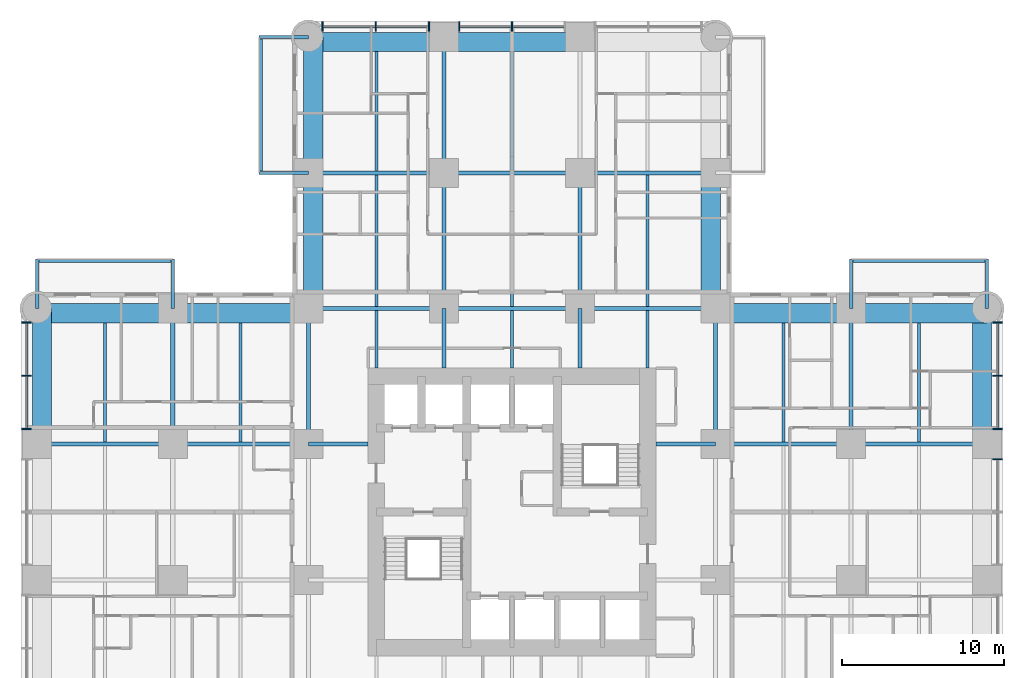
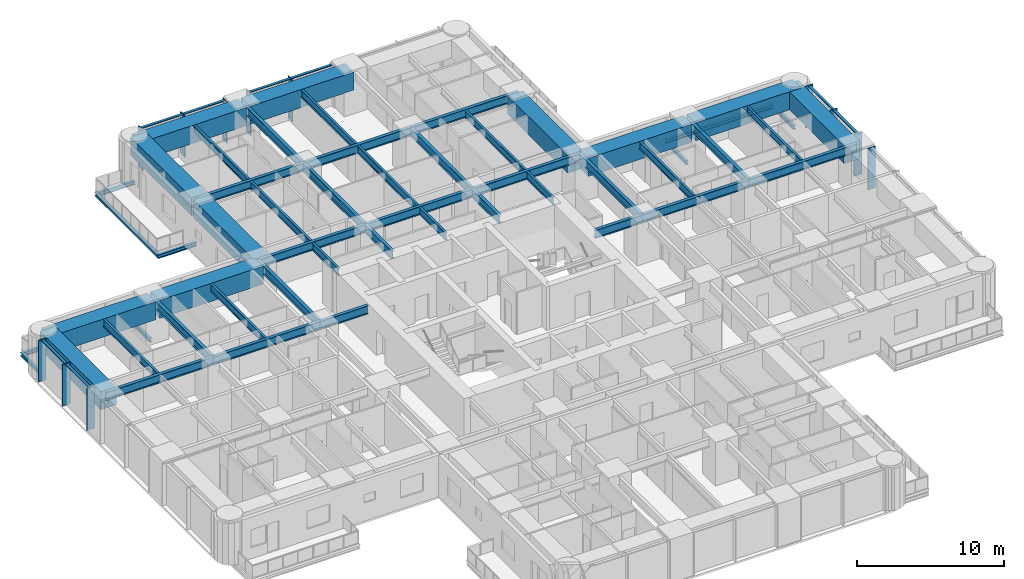
# One storey, part 4 of 17: 53 beams, 20 members, 3 elements without a shape of their own.
"""IFC4 building model written with IfcOpenShell, lengths in metres."""

from ifc_helpers import new_model, si_unit, direction, frame, origin, origin_2d, place, context, subcontext, project, spatial, rectangle, i_section, extrude, material, material_profile, profile_set, type_object, element, aggregate, save


model = new_model("IFC4")

# Units and contexts
model_context = context("Model", 3, precision=1e-05, world=origin(), true_north=direction((0.0, 1.0)))
body_context = subcontext(model_context, "Body", "Model", "MODEL_VIEW")
ifc_project = project(units=[si_unit("LENGTHUNIT", "METRE"), si_unit("AREAUNIT", "SQUARE_METRE"), si_unit("VOLUMEUNIT", "CUBIC_METRE"), si_unit("PLANEANGLEUNIT", "RADIAN"), si_unit("MASSUNIT", "GRAM", prefix="KILO")], contexts=[model_context])

# Site, building, storey
site_placement = place(None, origin())
site = spatial("IfcSite", under=ifc_project, at=site_placement, CompositionType="ELEMENT")
building_placement = place(site_placement, origin())
building = spatial("IfcBuilding", under=site, at=building_placement, Name="Torre Alcanfor", CompositionType="ELEMENT")
storey_placement = place(building_placement, frame((0.0, 0.0, 48.89990234375)))
storey = spatial("IfcBuildingStorey", under=building, at=storey_placement, Name="L11", CompositionType="ELEMENT", Elevation=48.89990234375)

# Beams
ifc_material_1 = material(Name="Steel ASTM A992 Grade 50", Category="steel")
ifc_material_profile_1 = material_profile(ifc_material_1, i_section(OverallWidth=0.205322265625, OverallDepth=0.309814453125, WebThickness=0.00927734375, FlangeThickness=0.016357421875, at=origin_2d()), Name="W12x50")
ifc_profile_set_1 = profile_set([ifc_material_profile_1], Name="Steel ASTM A992 Grade 50")
beam_type_1 = type_object("IfcBeamType", Name="Balcony cantilever beam W12x50", PredefinedType="BEAM", material=ifc_profile_set_1)
for number, where, z_axis, x_axis, name in (
    (1, (16.800048828125, 50.39990234375, -0.354736328125), (-1.0, 0.0, 0.0), (0.0, -1.0, 0.0), "Balcony cantilever beam L11-N1 1"),
    (2, (16.800048828125, 58.800048828125, -0.354736328125), (-1.0, 0.0, 0.0), (0.0, -1.0, 0.0), "Balcony cantilever beam L11-N1 2"),
    (3, (50.39990234375, 42.0, -0.354736328125), (0.0, 1.0, 0.0), (-1.0, 0.0, 0.0), "Balcony cantilever beam L11-E1 1"),
    (4, (58.800048828125, 42.0, -0.354736328125), (0.0, 1.0, 0.0), (-1.0, 0.0, 0.0), "Balcony cantilever beam L11-E1 2"),
    (5, (8.39990234375, 42.0, -0.354736328125), (0.0, 1.0, 0.0), (-1.0, 0.0, 0.0), "Balcony cantilever beam L11-W2 1"),
    (6, (0.0, 42.0, -0.354736328125), (0.0, 1.0, 0.0), (-1.0, 0.0, 0.0), "Balcony cantilever beam L11-W2 2"),
):
    element("IfcBeam", number, at=place(storey_placement, frame(where, z_axis=z_axis, x_axis=x_axis)), inside=storey, type_object=beam_type_1, Name=name, PredefinedType="BEAM", context=body_context, shape_type="SweptSolid", body=[
        extrude(i_section(OverallWidth=0.205322265625, OverallDepth=0.309814453125, WebThickness=0.00927734375, FlangeThickness=0.016357421875, at=origin_2d()), origin(), (0.0, 0.0, 1.0), 3.050048828125),
    ])
ifc_material_2 = material(Name="Steel ASTM A992 Grade 50", Category="steel")
ifc_material_profile_2 = material_profile(ifc_material_2, i_section(OverallWidth=0.203369140625, OverallDepth=0.30224609375, WebThickness=0.007568359375, FlangeThickness=0.01318359375, at=origin_2d()), Name="W12x40")
ifc_profile_set_2 = profile_set([ifc_material_profile_2], Name="Steel ASTM A992 Grade 50")
beam_type_2 = type_object("IfcBeamType", Name="Balcony edge trimmer W12x40", PredefinedType="BEAM", material=ifc_profile_set_2)
for number, where, z_axis, x_axis, name in (
    (7, (13.851806640625, 50.39990234375, -0.35107421875), (0.0, 1.0, 0.0), (-1.0, 0.0, 0.0), "Balcony edge trimmer L11-N1"),
    (8, (50.39990234375, 44.9482421875, -0.35107421875), (1.0, 0.0, 0.0), (0.0, 1.0, 0.0), "Balcony edge trimmer L11-E1"),
):
    element("IfcBeam", number, at=place(storey_placement, frame(where, z_axis=z_axis, x_axis=x_axis)), inside=storey, type_object=beam_type_2, Name=name, PredefinedType="BEAM", context=body_context, shape_type="SweptSolid", body=[
        extrude(i_section(OverallWidth=0.203369140625, OverallDepth=0.30224609375, WebThickness=0.007568359375, FlangeThickness=0.01318359375, at=origin_2d()), origin(), (0.0, 0.0, 1.0), 8.400146484375),
    ])
beam_1_placement = place(storey_placement, frame((8.39990234375, 44.9482421875, -0.35107421875), z_axis=(-1.0, 0.0, 0.0), x_axis=(0.0, -1.0, 0.0)))
element("IfcBeam", 9, at=beam_1_placement, inside=storey, type_object=beam_type_2, Name="Balcony edge trimmer L11-W2", PredefinedType="BEAM", context=body_context, shape_type="SweptSolid", body=[
    extrude(i_section(OverallWidth=0.203369140625, OverallDepth=0.30224609375, WebThickness=0.007568359375, FlangeThickness=0.01318359375, at=origin_2d()), origin(), (0.0, 0.0, 1.0), 8.39990234375),
])

# Curtain wall, members
ifc_material_3 = material(Name="Aluminium and glass", Category="aluminium")
curtain_wall_type = type_object("IfcCurtainWallType", Name="CW-A unitised apartment glazing with vertical FIN", PredefinedType="NOTDEFINED", material=ifc_material_3)
curtain_wall_1_placement = place(storey_placement, origin())
curtain_wall_1 = element("IfcCurtainWall", 10, at=curtain_wall_1_placement, inside=storey, type_object=curtain_wall_type, Name="Curtain wall CW-A L11 2", PredefinedType="NOTDEFINED")
ifc_material_4 = material(Name="Bronze anodised aluminium", Category="aluminium")
ifc_material_profile_3 = material_profile(ifc_material_4, rectangle(XDim=0.60009765625, YDim=0.06494140625, at=origin_2d()), Name="CW-A mullion 65x600")
ifc_profile_set_3 = profile_set([ifc_material_profile_3], Name="Bronze anodised aluminium")
member_type_1 = type_object("IfcMemberType", Name="CW-A mullion with vertical FIN 65x600", PredefinedType="MULLION", material=ifc_profile_set_3)
member_1_placement = place(storey_placement, frame((-0.64990234375, 41.133056640625, 0.0), z_axis=(0.0, 0.0, 1.0), x_axis=(1.0, 0.0, 0.0)))
member_1 = element("IfcMember", 11, at=member_1_placement, type_object=member_type_1, Name="CW-A mullion 1.1", PredefinedType="MULLION", context=body_context, shape_type="SweptSolid", body=[
    extrude(rectangle(XDim=0.60009765625, YDim=0.06494140625, at=origin_2d()), origin(), (0.0, 0.0, 1.0), 3.4501953125),
])
member_2_placement = place(storey_placement, frame((-0.64990234375, 37.835205078125, 0.0), z_axis=(0.0, 0.0, 1.0), x_axis=(1.0, 0.0, 0.0)))
member_2 = element("IfcMember", 12, at=member_2_placement, type_object=member_type_1, Name="CW-A mullion 1.2", PredefinedType="MULLION", context=body_context, shape_type="SweptSolid", body=[
    extrude(rectangle(XDim=0.60009765625, YDim=0.06494140625, at=origin_2d()), origin(), (0.0, 0.0, 1.0), 3.4501953125),
])
member_3_placement = place(storey_placement, frame((-0.64990234375, 34.53759765625, 0.0), z_axis=(0.0, 0.0, 1.0), x_axis=(1.0, 0.0, 0.0)))
member_3 = element("IfcMember", 13, at=member_3_placement, type_object=member_type_1, Name="CW-A mullion 1.3", PredefinedType="MULLION", context=body_context, shape_type="SweptSolid", body=[
    extrude(rectangle(XDim=0.60009765625, YDim=0.06494140625, at=origin_2d()), origin(), (0.0, 0.0, 1.0), 3.4501953125),
])

curtain_wall_2_placement = place(storey_placement, origin())
curtain_wall_2 = element("IfcCurtainWall", 14, at=curtain_wall_2_placement, inside=storey, type_object=curtain_wall_type, Name="Curtain wall CW-A L11 8", PredefinedType="NOTDEFINED")
member_4_placement = place(storey_placement, frame((59.449951171875, 32.66259765625, 0.0), z_axis=(0.0, 0.0, 1.0), x_axis=(-1.0, 0.0, 0.0)))
member_4 = element("IfcMember", 15, at=member_4_placement, type_object=member_type_1, Name="CW-A mullion 2.3", PredefinedType="MULLION", context=body_context, shape_type="SweptSolid", body=[
    extrude(rectangle(XDim=0.60009765625, YDim=0.06494140625, at=origin_2d()), origin(), (0.0, 0.0, 1.0), 3.4501953125),
])
member_5_placement = place(storey_placement, frame((59.449951171875, 34.53759765625, 0.0), z_axis=(0.0, 0.0, 1.0), x_axis=(-1.0, 0.0, 0.0)))
member_5 = element("IfcMember", 16, at=member_5_placement, type_object=member_type_1, Name="CW-A mullion 3.1", PredefinedType="MULLION", context=body_context, shape_type="SweptSolid", body=[
    extrude(rectangle(XDim=0.60009765625, YDim=0.06494140625, at=origin_2d()), origin(), (0.0, 0.0, 1.0), 3.4501953125),
])
member_6_placement = place(storey_placement, frame((59.449951171875, 37.835205078125, 0.0), z_axis=(0.0, 0.0, 1.0), x_axis=(-1.0, 0.0, 0.0)))
member_6 = element("IfcMember", 17, at=member_6_placement, type_object=member_type_1, Name="CW-A mullion 3.2", PredefinedType="MULLION", context=body_context, shape_type="SweptSolid", body=[
    extrude(rectangle(XDim=0.60009765625, YDim=0.06494140625, at=origin_2d()), origin(), (0.0, 0.0, 1.0), 3.4501953125),
])
member_7_placement = place(storey_placement, frame((59.449951171875, 41.133056640625, 0.0), z_axis=(0.0, 0.0, 1.0), x_axis=(-1.0, 0.0, 0.0)))
member_7 = element("IfcMember", 18, at=member_7_placement, type_object=member_type_1, Name="CW-A mullion 3.3", PredefinedType="MULLION", context=body_context, shape_type="SweptSolid", body=[
    extrude(rectangle(XDim=0.60009765625, YDim=0.06494140625, at=origin_2d()), origin(), (0.0, 0.0, 1.0), 3.4501953125),
])

curtain_wall_3_placement = place(storey_placement, origin())
curtain_wall_3 = element("IfcCurtainWall", 19, at=curtain_wall_3_placement, inside=storey, type_object=curtain_wall_type, Name="Curtain wall CW-A L11 11", PredefinedType="NOTDEFINED")
member_8_placement = place(storey_placement, frame((29.39990234375, 59.449951171875, 0.0), z_axis=(0.0, 0.0, 1.0), x_axis=(0.0, -1.0, 0.0)))
member_8 = element("IfcMember", 20, at=member_8_placement, type_object=member_type_1, Name="CW-A mullion 2.2", PredefinedType="MULLION", context=body_context, shape_type="SweptSolid", body=[
    extrude(rectangle(XDim=0.60009765625, YDim=0.06494140625, at=origin_2d()), origin(), (0.0, 0.0, 1.0), 3.4501953125),
])
member_9_placement = place(storey_placement, frame((26.137451171875, 59.449951171875, 0.0), z_axis=(0.0, 0.0, 1.0), x_axis=(0.0, -1.0, 0.0)))
member_9 = element("IfcMember", 21, at=member_9_placement, type_object=member_type_1, Name="CW-A mullion 2.3", PredefinedType="MULLION", context=body_context, shape_type="SweptSolid", body=[
    extrude(rectangle(XDim=0.60009765625, YDim=0.06494140625, at=origin_2d()), origin(), (0.0, 0.0, 1.0), 3.4501953125),
])
member_10_placement = place(storey_placement, frame((24.262451171875, 59.449951171875, 0.0), z_axis=(0.0, 0.0, 1.0), x_axis=(0.0, -1.0, 0.0)))
member_10 = element("IfcMember", 22, at=member_10_placement, type_object=member_type_1, Name="CW-A mullion 3.1", PredefinedType="MULLION", context=body_context, shape_type="SweptSolid", body=[
    extrude(rectangle(XDim=0.60009765625, YDim=0.06494140625, at=origin_2d()), origin(), (0.0, 0.0, 1.0), 3.4501953125),
])
member_11_placement = place(storey_placement, frame((20.96484375, 59.449951171875, 0.0), z_axis=(0.0, 0.0, 1.0), x_axis=(0.0, -1.0, 0.0)))
member_11 = element("IfcMember", 23, at=member_11_placement, type_object=member_type_1, Name="CW-A mullion 3.2", PredefinedType="MULLION", context=body_context, shape_type="SweptSolid", body=[
    extrude(rectangle(XDim=0.60009765625, YDim=0.06494140625, at=origin_2d()), origin(), (0.0, 0.0, 1.0), 3.4501953125),
])
member_12_placement = place(storey_placement, frame((17.6669921875, 59.449951171875, 0.0), z_axis=(0.0, 0.0, 1.0), x_axis=(0.0, -1.0, 0.0)))
member_12 = element("IfcMember", 24, at=member_12_placement, type_object=member_type_1, Name="CW-A mullion 3.3", PredefinedType="MULLION", context=body_context, shape_type="SweptSolid", body=[
    extrude(rectangle(XDim=0.60009765625, YDim=0.06494140625, at=origin_2d()), origin(), (0.0, 0.0, 1.0), 3.4501953125),
])

# Member
ifc_material_5 = material(Name="Extruded aluminium", Category="aluminium")
ifc_material_profile_4 = material_profile(ifc_material_5, rectangle(XDim=0.199951171875, YDim=0.06494140625, at=origin_2d()), Name="CW-A transom 200x65")
ifc_profile_set_4 = profile_set([ifc_material_profile_4], Name="Extruded aluminium")
member_type_2 = type_object("IfcMemberType", Name="CW-A transom 65x200", PredefinedType="USERDEFINED", material=ifc_profile_set_4)
member_13_placement = place(storey_placement, frame((-0.64990234375, 41.1005859375, 3.41748046875), z_axis=(0.0, -1.0, 0.0), x_axis=(1.0, 0.0, 0.0)))
member_13 = element("IfcMember", 25, at=member_13_placement, type_object=member_type_2, Name="CW-A transom 1.1.2", ObjectType="TRANSOM", PredefinedType="USERDEFINED", context=body_context, shape_type="SweptSolid", body=[
    extrude(rectangle(XDim=0.199951171875, YDim=0.06494140625, at=origin_2d()), origin(), (0.0, 0.0, 1.0), 3.23291015625),
])

member_14_placement = place(storey_placement, frame((-0.64990234375, 37.802734375, 3.41748046875), z_axis=(0.0, -1.0, 0.0), x_axis=(1.0, 0.0, 0.0)))
member_14 = element("IfcMember", 26, at=member_14_placement, type_object=member_type_2, Name="CW-A transom 1.2.2", ObjectType="TRANSOM", PredefinedType="USERDEFINED", context=body_context, shape_type="SweptSolid", body=[
    extrude(rectangle(XDim=0.199951171875, YDim=0.06494140625, at=origin_2d()), origin(), (0.0, 0.0, 1.0), 3.232666015625),
])

aggregate(curtain_wall_1, [member_1, member_2, member_3, member_13, member_14])

member_15_placement = place(storey_placement, frame((59.449951171875, 34.570068359375, 3.41748046875), z_axis=(0.0, 1.0, 0.0), x_axis=(-1.0, 0.0, 0.0)))
member_15 = element("IfcMember", 27, at=member_15_placement, type_object=member_type_2, Name="CW-A transom 3.1.2", ObjectType="TRANSOM", PredefinedType="USERDEFINED", context=body_context, shape_type="SweptSolid", body=[
    extrude(rectangle(XDim=0.199951171875, YDim=0.06494140625, at=origin_2d()), origin(), (0.0, 0.0, 1.0), 3.232666015625),
])

member_16_placement = place(storey_placement, frame((59.449951171875, 37.86767578125, 3.41748046875), z_axis=(0.0, 1.0, 0.0), x_axis=(-1.0, 0.0, 0.0)))
member_16 = element("IfcMember", 28, at=member_16_placement, type_object=member_type_2, Name="CW-A transom 3.2.2", ObjectType="TRANSOM", PredefinedType="USERDEFINED", context=body_context, shape_type="SweptSolid", body=[
    extrude(rectangle(XDim=0.199951171875, YDim=0.06494140625, at=origin_2d()), origin(), (0.0, 0.0, 1.0), 3.23291015625),
])

aggregate(curtain_wall_2, [member_4, member_5, member_6, member_7, member_15, member_16])

member_17_placement = place(storey_placement, frame((32.6298828125, 59.449951171875, 3.41748046875), z_axis=(-1.0, 0.0, 0.0), x_axis=(0.0, -1.0, 0.0)))
member_17 = element("IfcMember", 29, at=member_17_placement, type_object=member_type_2, Name="CW-A transom 2.1.2", ObjectType="TRANSOM", PredefinedType="USERDEFINED", context=body_context, shape_type="SweptSolid", body=[
    extrude(rectangle(XDim=0.199951171875, YDim=0.06494140625, at=origin_2d()), origin(), (0.0, 0.0, 1.0), 3.197265625),
])

member_18_placement = place(storey_placement, frame((29.367431640625, 59.449951171875, 3.41748046875), z_axis=(-1.0, 0.0, 0.0), x_axis=(0.0, -1.0, 0.0)))
member_18 = element("IfcMember", 30, at=member_18_placement, type_object=member_type_2, Name="CW-A transom 2.2.2", ObjectType="TRANSOM", PredefinedType="USERDEFINED", context=body_context, shape_type="SweptSolid", body=[
    extrude(rectangle(XDim=0.199951171875, YDim=0.06494140625, at=origin_2d()), origin(), (0.0, 0.0, 1.0), 3.197509765625),
])

member_19_placement = place(storey_placement, frame((24.22998046875, 59.449951171875, 3.41748046875), z_axis=(-1.0, 0.0, 0.0), x_axis=(0.0, -1.0, 0.0)))
member_19 = element("IfcMember", 31, at=member_19_placement, type_object=member_type_2, Name="CW-A transom 3.1.2", ObjectType="TRANSOM", PredefinedType="USERDEFINED", context=body_context, shape_type="SweptSolid", body=[
    extrude(rectangle(XDim=0.199951171875, YDim=0.06494140625, at=origin_2d()), origin(), (0.0, 0.0, 1.0), 3.232666015625),
])

member_20_placement = place(storey_placement, frame((20.93212890625, 59.449951171875, 3.41748046875), z_axis=(-1.0, 0.0, 0.0), x_axis=(0.0, -1.0, 0.0)))
member_20 = element("IfcMember", 32, at=member_20_placement, type_object=member_type_2, Name="CW-A transom 3.2.2", ObjectType="TRANSOM", PredefinedType="USERDEFINED", context=body_context, shape_type="SweptSolid", body=[
    extrude(rectangle(XDim=0.199951171875, YDim=0.06494140625, at=origin_2d()), origin(), (0.0, 0.0, 1.0), 3.232666015625),
])

aggregate(curtain_wall_3, [member_8, member_9, member_17, member_18, member_10, member_11, member_12, member_19, member_20])

# Beams
ifc_material_6 = material(Name="Steel ASTM A992 Grade 50", Category="steel")
ifc_material_profile_5 = material_profile(ifc_material_6, i_section(OverallWidth=0.25390625, OverallDepth=0.683349609375, WebThickness=0.012451171875, FlangeThickness=0.01904296875, at=origin_2d()), Name="W27x94")
ifc_profile_set_5 = profile_set([ifc_material_profile_5], Name="Steel ASTM A992 Grade 50")
beam_type_3 = type_object("IfcBeamType", Name="Girder W27x94", PredefinedType="BEAM", material=ifc_profile_set_5)
beam_2_placement = place(storey_placement, frame((0.0, 33.60009765625, 3.1083984375), z_axis=(1.0, 0.0, 0.0), x_axis=(0.0, 1.0, 0.0)))
element("IfcBeam", 33, at=beam_2_placement, inside=storey, type_object=beam_type_3, Name="Beam 1G-2G under L12", PredefinedType="BEAM", context=body_context, shape_type="SweptSolid", body=[
    extrude(i_section(OverallWidth=0.25390625, OverallDepth=0.683349609375, WebThickness=0.012451171875, FlangeThickness=0.01904296875, at=origin_2d()), origin(), (0.0, 0.0, 1.0), 8.39990234375),
])
beam_3_placement = place(storey_placement, frame((8.39990234375, 33.60009765625, 3.1083984375), z_axis=(1.0, 0.0, 0.0), x_axis=(0.0, 1.0, 0.0)))
element("IfcBeam", 34, at=beam_3_placement, inside=storey, type_object=beam_type_3, Name="Beam 2G-3G under L12", PredefinedType="BEAM", context=body_context, shape_type="SweptSolid", body=[
    extrude(i_section(OverallWidth=0.25390625, OverallDepth=0.683349609375, WebThickness=0.012451171875, FlangeThickness=0.01904296875, at=origin_2d()), origin(), (0.0, 0.0, 1.0), 8.400146484375),
])
beam_4_placement = place(storey_placement, frame((42.0, 33.60009765625, 3.1083984375), z_axis=(1.0, 0.0, 0.0), x_axis=(0.0, 1.0, 0.0)))
element("IfcBeam", 35, at=beam_4_placement, inside=storey, type_object=beam_type_3, Name="Beam 6G-7G under L12", PredefinedType="BEAM", context=body_context, shape_type="SweptSolid", body=[
    extrude(i_section(OverallWidth=0.25390625, OverallDepth=0.683349609375, WebThickness=0.012451171875, FlangeThickness=0.01904296875, at=origin_2d()), origin(), (0.0, 0.0, 1.0), 8.39990234375),
])
beam_5_placement = place(storey_placement, frame((50.39990234375, 33.60009765625, 3.1083984375), z_axis=(1.0, 0.0, 0.0), x_axis=(0.0, 1.0, 0.0)))
element("IfcBeam", 36, at=beam_5_placement, inside=storey, type_object=beam_type_3, Name="Beam 7G-8G under L12", PredefinedType="BEAM", context=body_context, shape_type="SweptSolid", body=[
    extrude(i_section(OverallWidth=0.25390625, OverallDepth=0.683349609375, WebThickness=0.012451171875, FlangeThickness=0.01904296875, at=origin_2d()), origin(), (0.0, 0.0, 1.0), 8.400146484375),
])
beam_6_placement = place(storey_placement, frame((16.800048828125, 42.0, 3.1083984375), z_axis=(1.0, 0.0, 0.0), x_axis=(0.0, 1.0, 0.0)))
element("IfcBeam", 37, at=beam_6_placement, inside=storey, type_object=beam_type_3, Name="Beam 3H-4H under L12", PredefinedType="BEAM", context=body_context, shape_type="SweptSolid", body=[
    extrude(i_section(OverallWidth=0.25390625, OverallDepth=0.683349609375, WebThickness=0.012451171875, FlangeThickness=0.01904296875, at=origin_2d()), origin(), (0.0, 0.0, 1.0), 8.39990234375),
])
beam_7_placement = place(storey_placement, frame((25.199951171875, 42.0, 3.1083984375), z_axis=(1.0, 0.0, 0.0), x_axis=(0.0, 1.0, 0.0)))
element("IfcBeam", 38, at=beam_7_placement, inside=storey, type_object=beam_type_3, Name="Beam 4H-5H under L12", PredefinedType="BEAM", context=body_context, shape_type="SweptSolid", body=[
    extrude(i_section(OverallWidth=0.25390625, OverallDepth=0.683349609375, WebThickness=0.012451171875, FlangeThickness=0.01904296875, at=origin_2d()), origin(), (0.0, 0.0, 1.0), 8.400146484375),
])
for number, where, z_axis, x_axis, name in (
    (39, (33.60009765625, 42.0, 3.1083984375), (1.0, 0.0, 0.0), (0.0, 1.0, 0.0), "Beam 5H-6H under L12"),
    (40, (16.800048828125, 50.39990234375, 3.1083984375), (1.0, 0.0, 0.0), (0.0, 1.0, 0.0), "Beam 3J-4J under L12"),
):
    element("IfcBeam", number, at=place(storey_placement, frame(where, z_axis=z_axis, x_axis=x_axis)), inside=storey, type_object=beam_type_3, Name=name, PredefinedType="BEAM", context=body_context, shape_type="SweptSolid", body=[
        extrude(i_section(OverallWidth=0.25390625, OverallDepth=0.683349609375, WebThickness=0.012451171875, FlangeThickness=0.01904296875, at=origin_2d()), origin(), (0.0, 0.0, 1.0), 8.39990234375),
    ])
beam_8_placement = place(storey_placement, frame((25.199951171875, 50.39990234375, 3.1083984375), z_axis=(1.0, 0.0, 0.0), x_axis=(0.0, 1.0, 0.0)))
element("IfcBeam", 41, at=beam_8_placement, inside=storey, type_object=beam_type_3, Name="Beam 4J-5J under L12", PredefinedType="BEAM", context=body_context, shape_type="SweptSolid", body=[
    extrude(i_section(OverallWidth=0.25390625, OverallDepth=0.683349609375, WebThickness=0.012451171875, FlangeThickness=0.01904296875, at=origin_2d()), origin(), (0.0, 0.0, 1.0), 8.400146484375),
])
for number, where, z_axis, x_axis, name in (
    (42, (33.60009765625, 50.39990234375, 3.1083984375), (1.0, 0.0, 0.0), (0.0, 1.0, 0.0), "Beam 5J-6J under L12"),
    (43, (8.39990234375, 33.60009765625, 3.1083984375), (0.0, 1.0, 0.0), (-1.0, 0.0, 0.0), "Beam 2G-2H under L12"),
    (44, (16.800048828125, 33.60009765625, 3.1083984375), (0.0, 1.0, 0.0), (-1.0, 0.0, 0.0), "Beam 3G-3H under L12"),
    (45, (25.199951171875, 42.0, 3.1083984375), (0.0, 1.0, 0.0), (-1.0, 0.0, 0.0), "Beam 4H-4J under L12"),
):
    element("IfcBeam", number, at=place(storey_placement, frame(where, z_axis=z_axis, x_axis=x_axis)), inside=storey, type_object=beam_type_3, Name=name, PredefinedType="BEAM", context=body_context, shape_type="SweptSolid", body=[
        extrude(i_section(OverallWidth=0.25390625, OverallDepth=0.683349609375, WebThickness=0.012451171875, FlangeThickness=0.01904296875, at=origin_2d()), origin(), (0.0, 0.0, 1.0), 8.39990234375),
    ])
beam_9_placement = place(storey_placement, frame((25.199951171875, 50.39990234375, 3.1083984375), z_axis=(0.0, 1.0, 0.0), x_axis=(-1.0, 0.0, 0.0)))
element("IfcBeam", 46, at=beam_9_placement, inside=storey, type_object=beam_type_3, Name="Beam 4J-4K under L12", PredefinedType="BEAM", context=body_context, shape_type="SweptSolid", body=[
    extrude(i_section(OverallWidth=0.25390625, OverallDepth=0.683349609375, WebThickness=0.012451171875, FlangeThickness=0.01904296875, at=origin_2d()), origin(), (0.0, 0.0, 1.0), 8.400146484375),
])
for number, where, z_axis, x_axis, name in (
    (47, (33.60009765625, 42.0, 3.1083984375), (0.0, 1.0, 0.0), (-1.0, 0.0, 0.0), "Beam 5H-5J under L12"),
    (48, (42.0, 33.60009765625, 3.1083984375), (0.0, 1.0, 0.0), (-1.0, 0.0, 0.0), "Beam 6G-6H under L12"),
    (49, (50.39990234375, 33.60009765625, 3.1083984375), (0.0, 1.0, 0.0), (-1.0, 0.0, 0.0), "Beam 7G-7H under L12"),
):
    element("IfcBeam", number, at=place(storey_placement, frame(where, z_axis=z_axis, x_axis=x_axis)), inside=storey, type_object=beam_type_3, Name=name, PredefinedType="BEAM", context=body_context, shape_type="SweptSolid", body=[
        extrude(i_section(OverallWidth=0.25390625, OverallDepth=0.683349609375, WebThickness=0.012451171875, FlangeThickness=0.01904296875, at=origin_2d()), origin(), (0.0, 0.0, 1.0), 8.39990234375),
    ])
ifc_material_7 = material(Name="Steel ASTM A992 Grade 50", Category="steel")
ifc_material_profile_6 = material_profile(ifc_material_7, i_section(OverallWidth=0.25390625, OverallDepth=0.683349609375, WebThickness=0.012451171875, FlangeThickness=0.01904296875, at=origin_2d()), Name="W27x94")
ifc_profile_set_6 = profile_set([ifc_material_profile_6], Name="Steel ASTM A992 Grade 50")
beam_type_4 = type_object("IfcBeamType", Name="Girder, part bay W27x94", PredefinedType="BEAM", material=ifc_profile_set_6)
for number, where, z_axis, x_axis, name in (
    (50, (25.199951171875, 42.0, 3.1083984375), (0.0, -1.0, 0.0), (1.0, 0.0, 0.0), "Beam 4H-438_3 under L12"),
    (51, (33.60009765625, 42.0, 3.1083984375), (0.0, -1.0, 0.0), (1.0, 0.0, 0.0), "Beam 5H-538_3 under L12"),
    (52, (16.800048828125, 33.60009765625, 3.1083984375), (1.0, 0.0, 0.0), (0.0, 1.0, 0.0), "Beam 3G-20_5G under L12"),
    (53, (42.0, 33.60009765625, 3.1083984375), (-1.0, 0.0, 0.0), (0.0, -1.0, 0.0), "Beam 6G-38_3G under L12"),
):
    element("IfcBeam", number, at=place(storey_placement, frame(where, z_axis=z_axis, x_axis=x_axis)), inside=storey, type_object=beam_type_4, Name=name, PredefinedType="BEAM", context=body_context, shape_type="SweptSolid", body=[
        extrude(i_section(OverallWidth=0.25390625, OverallDepth=0.683349609375, WebThickness=0.012451171875, FlangeThickness=0.01904296875, at=origin_2d()), origin(), (0.0, 0.0, 1.0), 3.699951171875),
    ])
ifc_material_8 = material(Name="Concrete f'c 70 MPa", Category="concrete")
ifc_material_profile_7 = material_profile(ifc_material_8, rectangle(XDim=1.199951171875, YDim=1.5, at=origin_2d()), Name="1200x1500")
ifc_profile_set_7 = profile_set([ifc_material_profile_7], Name="Concrete f'c 70 MPa")
beam_type_5 = type_object("IfcBeamType", Name="RC perimeter beam 1200x1500", PredefinedType="BEAM", material=ifc_profile_set_7)
beam_10_placement = place(storey_placement, frame((0.0, 41.699951171875, 2.7001953125), z_axis=(1.0, 0.0, 0.0), x_axis=(0.0, 1.0, 0.0)))
element("IfcBeam", 54, at=beam_10_placement, inside=storey, type_object=beam_type_5, Name="Beam 1H-2H under L12", PredefinedType="BEAM", context=body_context, shape_type="SweptSolid", body=[
    extrude(rectangle(XDim=1.199951171875, YDim=1.5, at=origin_2d()), origin(), (0.0, 0.0, 1.0), 8.27294921875),
])
for number, where, z_axis, x_axis, name in (
    (55, (8.527099609375, 41.699951171875, 2.7001953125), (1.0, 0.0, 0.0), (0.0, 1.0, 0.0), "Beam 2H-3H under L12"),
    (56, (42.126953125, 41.699951171875, 2.7001953125), (1.0, 0.0, 0.0), (0.0, 1.0, 0.0), "Beam 6H-7H under L12"),
):
    element("IfcBeam", number, at=place(storey_placement, frame(where, z_axis=z_axis, x_axis=x_axis)), inside=storey, type_object=beam_type_5, Name=name, PredefinedType="BEAM", context=body_context, shape_type="SweptSolid", body=[
        extrude(rectangle(XDim=1.199951171875, YDim=1.5, at=origin_2d()), origin(), (0.0, 0.0, 1.0), 8.14599609375),
    ])
for number, where, z_axis, x_axis, name in (
    (57, (50.527099609375, 41.699951171875, 2.7001953125), (1.0, 0.0, 0.0), (0.0, 1.0, 0.0), "Beam 7H-8H under L12"),
    (58, (16.800048828125, 58.5, 2.7001953125), (1.0, 0.0, 0.0), (0.0, 1.0, 0.0), "Beam 3K-4K under L12"),
):
    element("IfcBeam", number, at=place(storey_placement, frame(where, z_axis=z_axis, x_axis=x_axis)), inside=storey, type_object=beam_type_5, Name=name, PredefinedType="BEAM", context=body_context, shape_type="SweptSolid", body=[
        extrude(rectangle(XDim=1.199951171875, YDim=1.5, at=origin_2d()), origin(), (0.0, 0.0, 1.0), 8.27294921875),
    ])
beam_11_placement = place(storey_placement, frame((25.326904296875, 58.5, 2.7001953125), z_axis=(1.0, 0.0, 0.0), x_axis=(0.0, 1.0, 0.0)))
element("IfcBeam", 59, at=beam_11_placement, inside=storey, type_object=beam_type_5, Name="Beam 4K-5K under L12", PredefinedType="BEAM", context=body_context, shape_type="SweptSolid", body=[
    extrude(rectangle(XDim=1.199951171875, YDim=1.5, at=origin_2d()), origin(), (0.0, 0.0, 1.0), 8.14599609375),
])
beam_12_placement = place(storey_placement, frame((0.300048828125, 33.72705078125, 2.7001953125), z_axis=(0.0, 1.0, 0.0), x_axis=(-1.0, 0.0, 0.0)))
element("IfcBeam", 60, at=beam_12_placement, inside=storey, type_object=beam_type_5, Name="Beam 1G-1H under L12", PredefinedType="BEAM", context=body_context, shape_type="SweptSolid", body=[
    extrude(rectangle(XDim=1.199951171875, YDim=1.5, at=origin_2d()), origin(), (0.0, 0.0, 1.0), 8.27294921875),
])
beam_13_placement = place(storey_placement, frame((17.10009765625, 42.126953125, 2.7001953125), z_axis=(0.0, 1.0, 0.0), x_axis=(-1.0, 0.0, 0.0)))
element("IfcBeam", 61, at=beam_13_placement, inside=storey, type_object=beam_type_5, Name="Beam 3H-3J under L12", PredefinedType="BEAM", context=body_context, shape_type="SweptSolid", body=[
    extrude(rectangle(XDim=1.199951171875, YDim=1.5, at=origin_2d()), origin(), (0.0, 0.0, 1.0), 8.14599609375),
])
beam_14_placement = place(storey_placement, frame((17.10009765625, 50.527099609375, 2.7001953125), z_axis=(0.0, 1.0, 0.0), x_axis=(-1.0, 0.0, 0.0)))
element("IfcBeam", 62, at=beam_14_placement, inside=storey, type_object=beam_type_5, Name="Beam 3J-3K under L12", PredefinedType="BEAM", context=body_context, shape_type="SweptSolid", body=[
    extrude(rectangle(XDim=1.199951171875, YDim=1.5, at=origin_2d()), origin(), (0.0, 0.0, 1.0), 8.27294921875),
])
beam_15_placement = place(storey_placement, frame((41.699951171875, 42.126953125, 2.7001953125), z_axis=(0.0, 1.0, 0.0), x_axis=(-1.0, 0.0, 0.0)))
element("IfcBeam", 63, at=beam_15_placement, inside=storey, type_object=beam_type_5, Name="Beam 6H-6J under L12", PredefinedType="BEAM", context=body_context, shape_type="SweptSolid", body=[
    extrude(rectangle(XDim=1.199951171875, YDim=1.5, at=origin_2d()), origin(), (0.0, 0.0, 1.0), 8.14599609375),
])
beam_16_placement = place(storey_placement, frame((58.5, 33.72705078125, 2.7001953125), z_axis=(0.0, 1.0, 0.0), x_axis=(-1.0, 0.0, 0.0)))
element("IfcBeam", 64, at=beam_16_placement, inside=storey, type_object=beam_type_5, Name="Beam 8G-8H under L12", PredefinedType="BEAM", context=body_context, shape_type="SweptSolid", body=[
    extrude(rectangle(XDim=1.199951171875, YDim=1.5, at=origin_2d()), origin(), (0.0, 0.0, 1.0), 8.27294921875),
])
ifc_material_9 = material(Name="Steel ASTM A992 Grade 50", Category="steel")
ifc_material_profile_8 = material_profile(ifc_material_9, i_section(OverallWidth=0.1787109375, OverallDepth=0.60205078125, WebThickness=0.010986328125, FlangeThickness=0.014892578125, at=origin_2d()), Name="W24x62")
ifc_profile_set_8 = profile_set([ifc_material_profile_8], Name="Steel ASTM A992 Grade 50")
beam_type_6 = type_object("IfcBeamType", Name="Secondary beam W24x62", PredefinedType="BEAM", material=ifc_profile_set_8)
for number, where, z_axis, x_axis, name in (
    (65, (4.199951171875, 33.72705078125, 3.149169921875), (0.0, 1.0, 0.0), (-1.0, 0.0, 0.0), "Beam 4_2G-4_2H under L12"),
    (66, (12.60009765625, 33.72705078125, 3.149169921875), (0.0, 1.0, 0.0), (-1.0, 0.0, 0.0), "Beam 12_6G-12_6H under L12"),
):
    element("IfcBeam", number, at=place(storey_placement, frame(where, z_axis=z_axis, x_axis=x_axis)), inside=storey, type_object=beam_type_6, Name=name, PredefinedType="BEAM", context=body_context, shape_type="SweptSolid", body=[
        extrude(i_section(OverallWidth=0.1787109375, OverallDepth=0.60205078125, WebThickness=0.010986328125, FlangeThickness=0.014892578125, at=origin_2d()), origin(), (0.0, 0.0, 1.0), 7.373046875),
    ])
beam_17_placement = place(storey_placement, frame((21.0, 42.126953125, 3.149169921875), z_axis=(0.0, 1.0, 0.0), x_axis=(-1.0, 0.0, 0.0)))
element("IfcBeam", 67, at=beam_17_placement, inside=storey, type_object=beam_type_6, Name="Beam 21H-21J under L12", PredefinedType="BEAM", context=body_context, shape_type="SweptSolid", body=[
    extrude(i_section(OverallWidth=0.1787109375, OverallDepth=0.60205078125, WebThickness=0.010986328125, FlangeThickness=0.014892578125, at=origin_2d()), origin(), (0.0, 0.0, 1.0), 8.14599609375),
])
beam_18_placement = place(storey_placement, frame((21.0, 50.527099609375, 3.149169921875), z_axis=(0.0, 1.0, 0.0), x_axis=(-1.0, 0.0, 0.0)))
element("IfcBeam", 68, at=beam_18_placement, inside=storey, type_object=beam_type_6, Name="Beam 21J-21K under L12", PredefinedType="BEAM", context=body_context, shape_type="SweptSolid", body=[
    extrude(i_section(OverallWidth=0.1787109375, OverallDepth=0.60205078125, WebThickness=0.010986328125, FlangeThickness=0.014892578125, at=origin_2d()), origin(), (0.0, 0.0, 1.0), 7.372802734375),
])
beam_19_placement = place(storey_placement, frame((29.39990234375, 42.126953125, 3.149169921875), z_axis=(0.0, 1.0, 0.0), x_axis=(-1.0, 0.0, 0.0)))
element("IfcBeam", 69, at=beam_19_placement, inside=storey, type_object=beam_type_6, Name="Beam 29_4H-29_4J under L12", PredefinedType="BEAM", context=body_context, shape_type="SweptSolid", body=[
    extrude(i_section(OverallWidth=0.1787109375, OverallDepth=0.60205078125, WebThickness=0.010986328125, FlangeThickness=0.014892578125, at=origin_2d()), origin(), (0.0, 0.0, 1.0), 8.14599609375),
])
beam_20_placement = place(storey_placement, frame((29.39990234375, 50.527099609375, 3.149169921875), z_axis=(0.0, 1.0, 0.0), x_axis=(-1.0, 0.0, 0.0)))
element("IfcBeam", 70, at=beam_20_placement, inside=storey, type_object=beam_type_6, Name="Beam 29_4J-29_4K under L12", PredefinedType="BEAM", context=body_context, shape_type="SweptSolid", body=[
    extrude(i_section(OverallWidth=0.1787109375, OverallDepth=0.60205078125, WebThickness=0.010986328125, FlangeThickness=0.014892578125, at=origin_2d()), origin(), (0.0, 0.0, 1.0), 7.372802734375),
])
beam_21_placement = place(storey_placement, frame((37.800048828125, 42.126953125, 3.149169921875), z_axis=(0.0, 1.0, 0.0), x_axis=(-1.0, 0.0, 0.0)))
element("IfcBeam", 71, at=beam_21_placement, inside=storey, type_object=beam_type_6, Name="Beam 37_8H-37_8J under L12", PredefinedType="BEAM", context=body_context, shape_type="SweptSolid", body=[
    extrude(i_section(OverallWidth=0.1787109375, OverallDepth=0.60205078125, WebThickness=0.010986328125, FlangeThickness=0.014892578125, at=origin_2d()), origin(), (0.0, 0.0, 1.0), 8.14599609375),
])
for number, where, z_axis, x_axis, name in (
    (72, (46.199951171875, 33.72705078125, 3.149169921875), (0.0, 1.0, 0.0), (-1.0, 0.0, 0.0), "Beam 46_2G-46_2H under L12"),
    (73, (54.60009765625, 33.72705078125, 3.149169921875), (0.0, 1.0, 0.0), (-1.0, 0.0, 0.0), "Beam 54_6G-54_6H under L12"),
):
    element("IfcBeam", number, at=place(storey_placement, frame(where, z_axis=z_axis, x_axis=x_axis)), inside=storey, type_object=beam_type_6, Name=name, PredefinedType="BEAM", context=body_context, shape_type="SweptSolid", body=[
        extrude(i_section(OverallWidth=0.1787109375, OverallDepth=0.60205078125, WebThickness=0.010986328125, FlangeThickness=0.014892578125, at=origin_2d()), origin(), (0.0, 0.0, 1.0), 7.373046875),
    ])
ifc_material_10 = material(Name="Steel ASTM A992 Grade 50", Category="steel")
ifc_material_profile_9 = material_profile(ifc_material_10, i_section(OverallWidth=0.1787109375, OverallDepth=0.60205078125, WebThickness=0.010986328125, FlangeThickness=0.014892578125, at=origin_2d()), Name="W24x62")
ifc_profile_set_9 = profile_set([ifc_material_profile_9], Name="Steel ASTM A992 Grade 50")
beam_type_7 = type_object("IfcBeamType", Name="Secondary beam, part bay W24x62", PredefinedType="BEAM", material=ifc_profile_set_9)
for number, where, z_axis, x_axis, name in (
    (74, (21.0, 38.300048828125, 3.149169921875), (0.0, 1.0, 0.0), (-1.0, 0.0, 0.0), "Beam 2138_3-21H under L12"),
    (75, (29.39990234375, 38.300048828125, 3.149169921875), (0.0, 1.0, 0.0), (-1.0, 0.0, 0.0), "Beam 29_438_3-29_4H under L12"),
    (76, (37.800048828125, 38.300048828125, 3.149169921875), (0.0, 1.0, 0.0), (-1.0, 0.0, 0.0), "Beam 37_838_3-37_8H under L12"),
):
    element("IfcBeam", number, at=place(storey_placement, frame(where, z_axis=z_axis, x_axis=x_axis)), inside=storey, type_object=beam_type_7, Name=name, PredefinedType="BEAM", context=body_context, shape_type="SweptSolid", body=[
        extrude(i_section(OverallWidth=0.1787109375, OverallDepth=0.60205078125, WebThickness=0.010986328125, FlangeThickness=0.014892578125, at=origin_2d()), origin(), (0.0, 0.0, 1.0), 3.572998046875),
    ])

save(model, "model.ifc")
